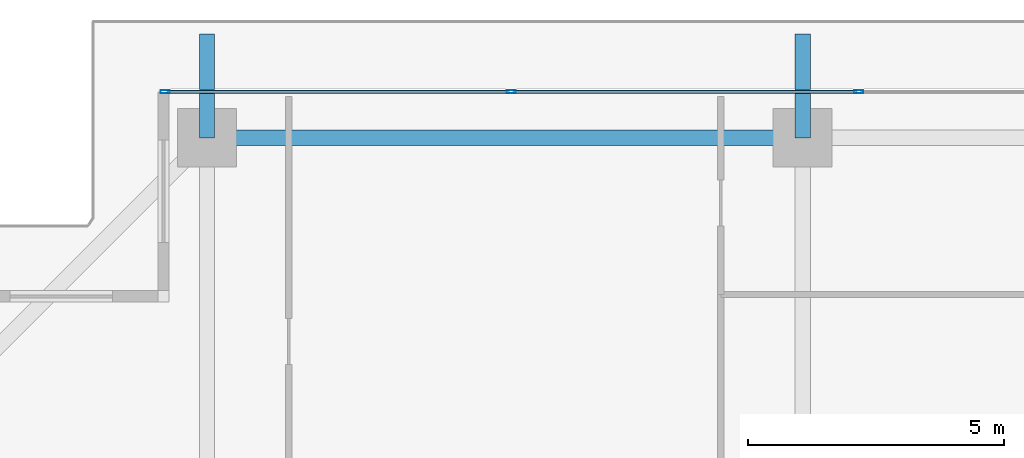
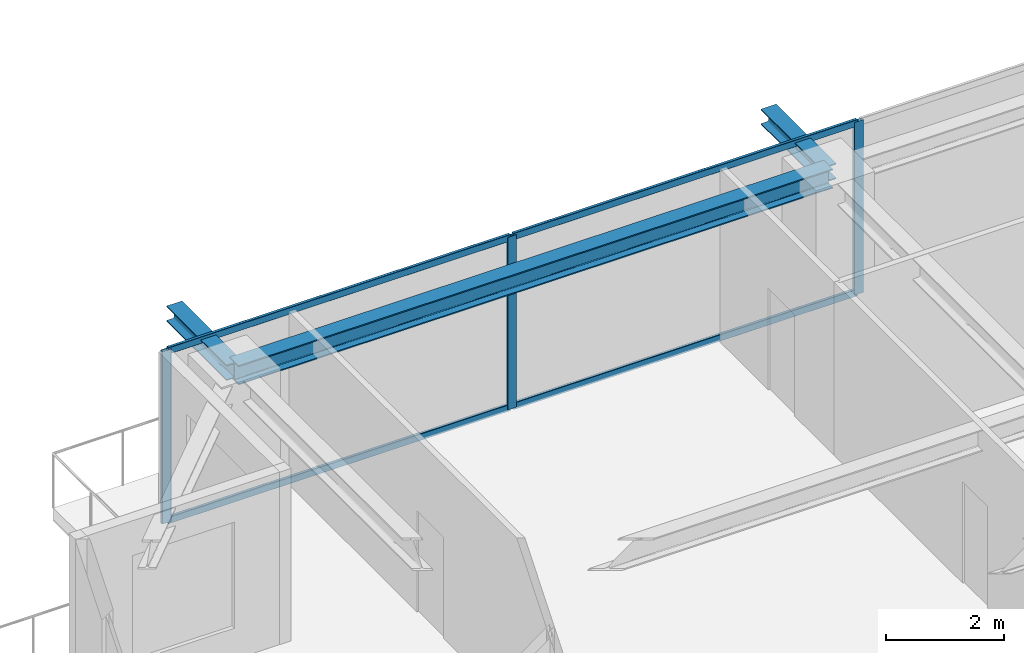
# One storey, part 18 of 35: 7 members, 3 beams, 1 element without a shape of its own.
"""IFC4 building model written with IfcOpenShell, lengths in metres."""

from ifc_helpers import new_model, si_unit, direction, frame, origin, origin_2d, place, context, subcontext, project, spatial, hollow_rectangle, i_section, extrude, source, transform, mapped, material, layer, layer_set, material_profile, profile_set, type_object, element, aggregate, save


model = new_model("IFC4")

# Units and contexts
model_context = context("Model", 3, precision=1e-05, world=origin(), true_north=direction((0.0, 1.0)))
body_context = subcontext(model_context, "Body", "Model", "MODEL_VIEW")
ifc_project = project(units=[si_unit("LENGTHUNIT", "METRE"), si_unit("AREAUNIT", "SQUARE_METRE"), si_unit("VOLUMEUNIT", "CUBIC_METRE"), si_unit("PLANEANGLEUNIT", "RADIAN"), si_unit("MASSUNIT", "GRAM", prefix="KILO")], contexts=[model_context])

# Site, building, storey
site_placement = place(None, origin())
site = spatial("IfcSite", under=ifc_project, at=site_placement, CompositionType="ELEMENT")
building_placement = place(site_placement, origin())
building = spatial("IfcBuilding", under=site, at=building_placement, Name="Serunith Strait Residences", CompositionType="ELEMENT")
storey_placement = place(building_placement, frame((0.0, 0.0, 210.449951171875)))
storey = spatial("IfcBuildingStorey", under=building, at=storey_placement, Name="L52", CompositionType="ELEMENT", Elevation=210.449951171875)

# Beams
ifc_material_1 = material(Name="Steel S355J2", Category="steel")
ifc_material_profile_1 = material_profile(ifc_material_1, i_section(OverallWidth=0.300048828125, OverallDepth=0.39990234375, WebThickness=0.013427734375, FlangeThickness=0.02392578125, FilletRadius=0.027099609375, at=origin_2d()), Name="HEB 400")
ifc_profile_set_1 = profile_set([ifc_material_profile_1], Name="Steel S355J2")
beam_type_1 = type_object("IfcBeamType", Name="BM-HEB400", PredefinedType="BEAM", material=ifc_profile_set_1)
shared_shape_1 = source(origin(), body_context, "Body", "SweptSolid", [
    extrude(i_section(OverallWidth=0.300048828125, OverallDepth=0.39990234375, WebThickness=0.013427734375, FlangeThickness=0.02392578125, FilletRadius=0.027099609375, at=origin_2d()), origin(), (0.0, 0.0, 1.0), 11.64990234375),
])
beam_placement = place(storey_placement, frame((27.89990234375, 48.300048828125, 3.386962890625), z_axis=(-1.0, 0.0, 0.0), x_axis=(0.0, -1.0, 0.0)))
element("IfcBeam", 1, at=beam_placement, inside=storey, type_object=beam_type_1, Name="L52 Perimeter Ring Beam 11", PredefinedType="BEAM", context=body_context, shape_type="MappedRepresentation", body=[
    mapped(shared_shape_1, transform((0.0, 0.0, 0.0), scale=1.0)),
])
ifc_material_profile_2 = material_profile(ifc_material_1, i_section(OverallWidth=0.300048828125, OverallDepth=0.320068359375, WebThickness=0.011474609375, FlangeThickness=0.0205078125, FilletRadius=0.027099609375, at=origin_2d()), Name="HEB 320")
ifc_profile_set_2 = profile_set([ifc_material_profile_2], Name="Steel S355J2")
beam_type_2 = type_object("IfcBeamType", Name="BM-HEB320", PredefinedType="BEAM", material=ifc_profile_set_2)
shared_shape_2 = source(origin(), body_context, "Body", "SweptSolid", [
    extrude(i_section(OverallWidth=0.300048828125, OverallDepth=0.320068359375, WebThickness=0.011474609375, FlangeThickness=0.0205078125, FilletRadius=0.027099609375, at=origin_2d()), origin(), (0.0, 0.0, 1.0), 2.030029296875),
])
for number, where, z_axis, x_axis, name in (
    (2, (16.25, 48.300048828125, 3.39697265625), (0.0, 1.0, 0.0), (-1.0, 0.0, 0.0), "L53 Cantilevered Balcony Rib TC-N1"),
    (3, (27.89990234375, 48.300048828125, 3.39697265625), (0.0, 1.0, 0.0), (-1.0, 0.0, 0.0), "L53 Cantilevered Balcony Rib TC-N2"),
):
    element("IfcBeam", number, at=place(storey_placement, frame(where, z_axis=z_axis, x_axis=x_axis)), inside=storey, type_object=beam_type_2, Name=name, PredefinedType="BEAM", context=body_context, shape_type="MappedRepresentation", body=[
        mapped(shared_shape_2, transform((0.0, 0.0, 0.0), scale=1.0)),
    ])

# Curtain wall, members
ifc_material_2 = material(Name="Pale-Champagne Anodised Aluminium", Category="aluminium")
ifc_layer = layer(ifc_material_2, 0.199951171875, Name="Pale-Champagne Anodised Aluminium")
ifc_layer_set = layer_set([ifc_layer], Name="Pale-Champagne Anodised Aluminium")
curtain_wall_type = type_object("IfcCurtainWallType", Name="CW-SYS4", PredefinedType="NOTDEFINED", material=ifc_layer_set)
curtain_wall_placement = place(storey_placement, origin())
curtain_wall = element("IfcCurtainWall", 4, at=curtain_wall_placement, inside=storey, type_object=curtain_wall_type, Name="L52 N Unitised Fritted Curtain Wall", PredefinedType="NOTDEFINED")
ifc_material_profile_3 = material_profile(ifc_material_2, hollow_rectangle(XDim=0.06494140625, YDim=0.179931640625, WallThickness=0.00341796875, InnerFilletRadius=0.00537109375, OuterFilletRadius=0.0087890625, at=origin_2d()), Name="ALU 180x65x3.5")
ifc_profile_set_3 = profile_set([ifc_material_profile_3], Name="Pale-Champagne Anodised Aluminium")
member_type_1 = type_object("IfcMemberType", Name="CW-SYS4-MULL", PredefinedType="MULLION", material=ifc_profile_set_3)
shared_shape_3 = source(origin(), body_context, "Body", "SweptSolid", [
    extrude(hollow_rectangle(XDim=0.06494140625, YDim=0.179931640625, WallThickness=0.00341796875, InnerFilletRadius=0.00537109375, OuterFilletRadius=0.0087890625, at=origin_2d()), origin(), (0.0, 0.0, 1.0), 3.574951171875),
])
member_1_placement = place(storey_placement, frame((29.0, 49.199951171875, 0.0), z_axis=(0.0, 0.0, 1.0), x_axis=(0.0, -1.0, 0.0)))
member_1 = element("IfcMember", 5, at=member_1_placement, type_object=member_type_1, Name="CW-4 mullion 4", PredefinedType="MULLION", context=body_context, shape_type="MappedRepresentation", body=[
    mapped(shared_shape_3, transform((0.0, 0.0, 0.0), scale=1.0)),
])
member_2_placement = place(storey_placement, frame((22.199951171875, 49.199951171875, 0.0), z_axis=(0.0, 0.0, 1.0), x_axis=(0.0, -1.0, 0.0)))
member_2 = element("IfcMember", 6, at=member_2_placement, type_object=member_type_1, Name="CW-4 mullion 5", PredefinedType="MULLION", context=body_context, shape_type="MappedRepresentation", body=[
    mapped(shared_shape_3, transform((0.0, 0.0, 0.0), scale=1.0)),
])
member_3_placement = place(storey_placement, frame((15.4326171875, 49.199951171875, 0.0), z_axis=(0.0, 0.0, 1.0), x_axis=(0.0, -1.0, 0.0)))
member_3 = element("IfcMember", 7, at=member_3_placement, type_object=member_type_1, Name="CW-4 mullion 6", PredefinedType="MULLION", context=body_context, shape_type="MappedRepresentation", body=[
    mapped(shared_shape_3, transform((0.0, 0.0, 0.0), scale=1.0)),
])
ifc_material_profile_4 = material_profile(ifc_material_2, hollow_rectangle(XDim=0.06005859375, YDim=0.139892578125, WallThickness=0.00341796875, InnerFilletRadius=0.00537109375, OuterFilletRadius=0.0087890625, at=origin_2d()), Name="ALU 140x60x3.5")
ifc_profile_set_4 = profile_set([ifc_material_profile_4], Name="Pale-Champagne Anodised Aluminium")
member_type_2 = type_object("IfcMemberType", Name="CW-SYS4-TRAN", PredefinedType="USERDEFINED", material=ifc_profile_set_4)
shared_shape_4 = source(origin(), body_context, "Body", "SweptSolid", [
    extrude(hollow_rectangle(XDim=0.06005859375, YDim=0.139892578125, WallThickness=0.00341796875, InnerFilletRadius=0.00537109375, OuterFilletRadius=0.0087890625, at=origin_2d()), origin(), (0.0, 0.0, 1.0), 6.702392578125),
])
member_4_placement = place(storey_placement, frame((22.16748046875, 49.199951171875, 0.030029296875), z_axis=(-1.0, 0.0, 0.0), x_axis=(0.0, -1.0, 0.0)))
member_4 = element("IfcMember", 8, at=member_4_placement, type_object=member_type_2, Name="CW-4 transom 5.1", ObjectType="TRANSOM", PredefinedType="USERDEFINED", context=body_context, shape_type="MappedRepresentation", body=[
    mapped(shared_shape_4, transform((0.0, 0.0, 0.0), scale=1.0)),
])
member_5_placement = place(storey_placement, frame((22.16748046875, 49.199951171875, 3.545166015625), z_axis=(-1.0, 0.0, 0.0), x_axis=(0.0, -1.0, 0.0)))
member_5 = element("IfcMember", 9, at=member_5_placement, type_object=member_type_2, Name="CW-4 transom 5.2", ObjectType="TRANSOM", PredefinedType="USERDEFINED", context=body_context, shape_type="MappedRepresentation", body=[
    mapped(shared_shape_4, transform((0.0, 0.0, 0.0), scale=1.0)),
])
shared_shape_5 = source(origin(), body_context, "Body", "SweptSolid", [
    extrude(hollow_rectangle(XDim=0.06005859375, YDim=0.139892578125, WallThickness=0.00341796875, InnerFilletRadius=0.00537109375, OuterFilletRadius=0.0087890625, at=origin_2d()), origin(), (0.0, 0.0, 1.0), 6.735107421875),
])
member_6_placement = place(storey_placement, frame((28.967529296875, 49.199951171875, 0.030029296875), z_axis=(-1.0, 0.0, 0.0), x_axis=(0.0, -1.0, 0.0)))
member_6 = element("IfcMember", 10, at=member_6_placement, type_object=member_type_2, Name="CW-4 transom 4.1", ObjectType="TRANSOM", PredefinedType="USERDEFINED", context=body_context, shape_type="MappedRepresentation", body=[
    mapped(shared_shape_5, transform((0.0, 0.0, 0.0), scale=1.0)),
])
member_7_placement = place(storey_placement, frame((28.967529296875, 49.199951171875, 3.545166015625), z_axis=(-1.0, 0.0, 0.0), x_axis=(0.0, -1.0, 0.0)))
member_7 = element("IfcMember", 11, at=member_7_placement, type_object=member_type_2, Name="CW-4 transom 4.2", ObjectType="TRANSOM", PredefinedType="USERDEFINED", context=body_context, shape_type="MappedRepresentation", body=[
    mapped(shared_shape_5, transform((0.0, 0.0, 0.0), scale=1.0)),
])
aggregate(curtain_wall, [member_1, member_2, member_3, member_6, member_7, member_4, member_5])

save(model, "model.ifc")
